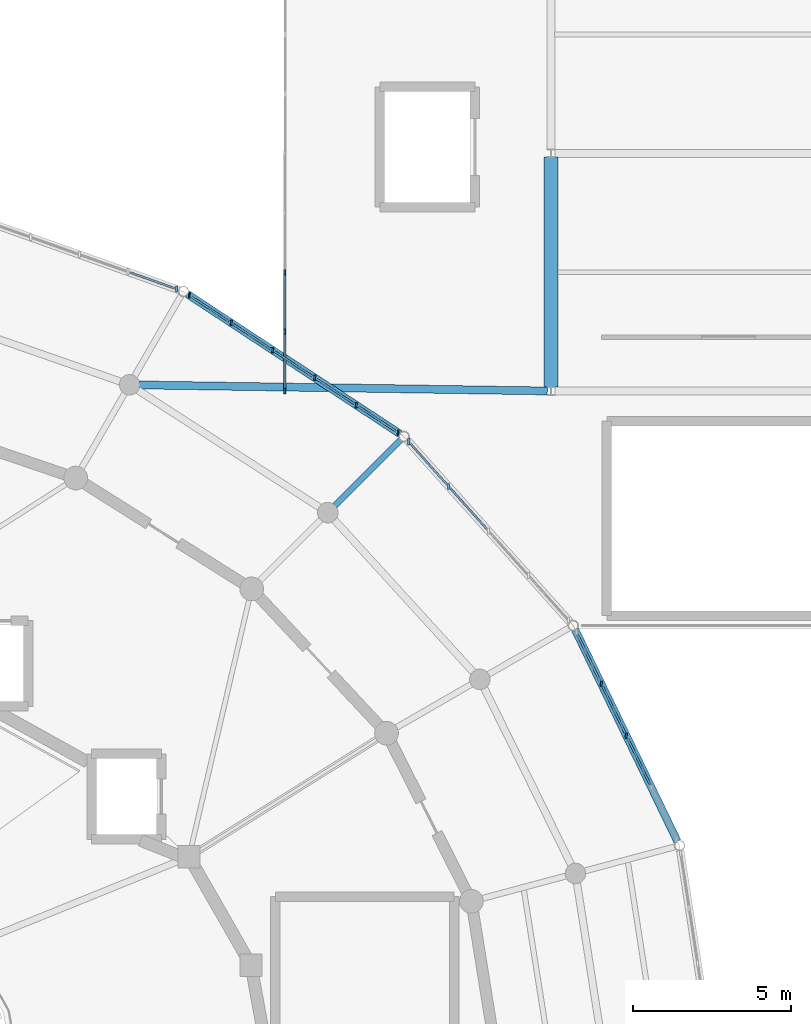
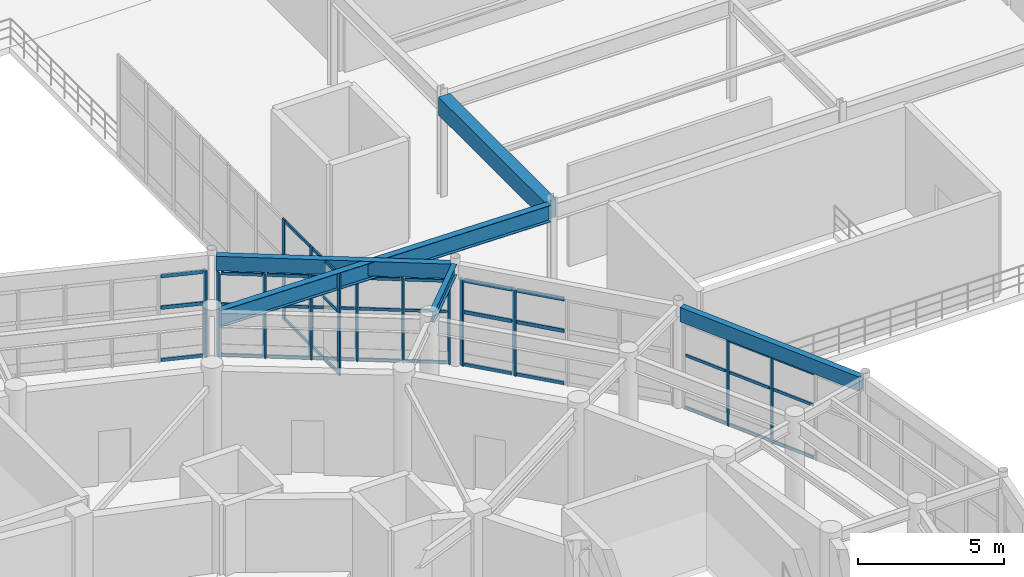
# One storey, part 62 of 112: 52 members, 5 beams, 5 elements without a shape of their own.
"""IFC4 building model written with IfcOpenShell, lengths in metres."""

from ifc_helpers import new_model, si_unit, direction, frame, origin, origin_2d, place, context, subcontext, project, spatial, rectangle, i_section, extrude, material, material_profile, profile_set, type_object, element, aggregate, save


model = new_model("IFC4")

# Units and contexts
model_context = context("Model", 3, precision=1e-05, world=origin(), true_north=direction((0.0, 1.0)))
body_context = subcontext(model_context, "Body", "Model", "MODEL_VIEW")
ifc_project = project(units=[si_unit("LENGTHUNIT", "METRE"), si_unit("AREAUNIT", "SQUARE_METRE"), si_unit("VOLUMEUNIT", "CUBIC_METRE"), si_unit("PLANEANGLEUNIT", "RADIAN"), si_unit("MASSUNIT", "GRAM", prefix="KILO")], contexts=[model_context])

# Site, building, storey
site_placement = place(None, origin())
site = spatial("IfcSite", under=ifc_project, at=site_placement, CompositionType="ELEMENT")
building_placement = place(site_placement, origin())
building = spatial("IfcBuilding", under=site, at=building_placement, Name="Cinderbank Siding Concert Hall", CompositionType="ELEMENT")
storey_placement = place(building_placement, frame((0.0, 0.0, 10.199951171875)))
storey = spatial("IfcBuildingStorey", under=building, at=storey_placement, Name="L03", CompositionType="ELEMENT", Elevation=10.199951171875)

# Beams
ifc_material_1 = material(Name="Reinforced concrete AS 3600 N50 (50 MPa)", Category="concrete")
ifc_material_profile_1 = material_profile(ifc_material_1, rectangle(XDim=0.449951171875, YDim=0.75, at=origin_2d()), Name="RC-BM-450x750", Category="LoadBearing")
ifc_profile_set_1 = profile_set([ifc_material_profile_1], Name="Reinforced concrete AS 3600 N50 (50 MPa)")
beam_type_1 = type_object("IfcBeamType", Name="BM-RC750 RC-BM-450x750", PredefinedType="BEAM", material=ifc_profile_set_1)
beam_1_placement = place(storey_placement, frame((150.39990234375, 65.9189453125, 3.85693359375), z_axis=(0.0, 1.0, 0.0), x_axis=(-1.0, 0.0, 0.0)))
element("IfcBeam", 1, at=beam_1_placement, inside=storey, type_object=beam_type_1, Name="L03 Beam BM-RC750 #1787", PredefinedType="BEAM", context=body_context, shape_type="SweptSolid", body=[
    extrude(rectangle(XDim=0.449951171875, YDim=0.75, at=origin_2d()), origin(), (0.0, 0.0, 1.0), 7.261962890625),
])
ifc_material_2 = material(Name="Structural steel AS/NZS 3679.1 Grade 350 (340 MPa)", Category="steel")
ifc_material_profile_2 = material_profile(ifc_material_2, i_section(OverallWidth=0.19091796875, OverallDepth=0.46044921875, WebThickness=0.010009765625, FlangeThickness=0.01611328125, at=origin_2d()), Name="460UB82.1", Category="LoadBearing")
ifc_profile_set_2 = profile_set([ifc_material_profile_2], Name="Structural steel AS/NZS 3679.1 Grade 350 (340 MPa)")
beam_type_2 = type_object("IfcBeamType", Name="BM-UB460H 460UB82.1", PredefinedType="BEAM", material=ifc_profile_set_2)
beam_2_placement = place(storey_placement, frame((143.578857421875, 62.184814453125, 4.0517578125), z_axis=(0.707106781187, 0.707106781187, 0.0), x_axis=(-0.707106781187, 0.707106781187, 0.0)))
element("IfcBeam", 2, at=beam_2_placement, inside=storey, type_object=beam_type_2, Name="L03 Beam BM-UB460H #631", PredefinedType="BEAM", context=body_context, shape_type="SweptSolid", body=[
    extrude(i_section(OverallWidth=0.19091796875, OverallDepth=0.46044921875, WebThickness=0.010009765625, FlangeThickness=0.01611328125, at=origin_2d()), origin(), (0.0, 0.0, 1.0), 2.928955078125),
])
ifc_material_3 = material(Name="Structural steel welded plate section AS/NZS 3679.2 / AS/NZS 3678 Grade 350 (340 MPa)", Category="steel")
ifc_material_profile_3 = material_profile(ifc_material_3, i_section(OverallWidth=0.25, OverallDepth=0.699951171875, WebThickness=0.010009765625, FlangeThickness=0.01611328125, at=origin_2d()), Name="700WB130", Category="LoadBearing")
ifc_profile_set_3 = profile_set([ifc_material_profile_3], Name="Structural steel welded plate section AS/NZS 3679.2 / AS/NZS 3678 Grade 350 (340 MPa)")
beam_type_3 = type_object("IfcBeamType", Name="BM-WB700 700WB130", PredefinedType="BEAM", material=ifc_profile_set_3)
beam_3_placement = place(storey_placement, frame((137.4169921875, 65.9921875, 3.882080078125), z_axis=(0.99989044935, -0.014801665379, 0.0), x_axis=(0.014801665379, 0.99989044935, 0.0)))
element("IfcBeam", 3, at=beam_3_placement, inside=storey, type_object=beam_type_3, Name="L03 Beam BM-WB700 #1701", PredefinedType="BEAM", context=body_context, shape_type="SweptSolid", body=[
    extrude(i_section(OverallWidth=0.25, OverallDepth=0.699951171875, WebThickness=0.010009765625, FlangeThickness=0.01611328125, at=origin_2d()), origin(), (0.0, 0.0, 1.0), 12.865478515625),
])

# Curtain wall, members
ifc_material_4 = material(Name="Anodised aluminium alloy 6063-T6", Category="aluminium")
curtain_wall_type_1 = type_object("IfcCurtainWallType", Name="CW-02 Unitised Acoustic Curtain Wall 7800x4400", PredefinedType="NOTDEFINED", material=ifc_material_4)
curtain_wall_1_placement = place(storey_placement, origin())
curtain_wall_1 = element("IfcCurtainWall", 4, at=curtain_wall_1_placement, inside=storey, type_object=curtain_wall_type_1, Name="L03 Curtain Wall CW-02 #26", PredefinedType="NOTDEFINED")
ifc_material_profile_4 = material_profile(ifc_material_4, rectangle(XDim=0.06005859375, YDim=0.159912109375, at=origin_2d()), Name="ALU-MULL-60x160", Category="LoadBearing")
ifc_profile_set_4 = profile_set([ifc_material_profile_4], Name="Anodised aluminium alloy 6063-T6")
member_type_1 = type_object("IfcMemberType", Name="CW-ML1 Mullion 60x160", PredefinedType="MULLION", material=ifc_profile_set_4)
member_1_placement = place(storey_placement, frame((152.77685546875, 54.927001953125, 0.0), z_axis=(0.0, 0.0, 1.0), x_axis=(1.0, 0.0, 0.0)))
member_1 = element("IfcMember", 5, at=member_1_placement, type_object=member_type_1, Name="CW-L03-026 Mullion 2", PredefinedType="MULLION", context=body_context, shape_type="SweptSolid", body=[
    extrude(rectangle(XDim=0.06005859375, YDim=0.159912109375, at=origin_2d()), origin(), (0.0, 0.0, 1.0), 3.616943359375),
])
member_2_placement = place(storey_placement, frame((151.987060546875, 56.561279296875, 0.0), z_axis=(0.0, 0.0, 1.0), x_axis=(1.0, 0.0, 0.0)))
member_2 = element("IfcMember", 6, at=member_2_placement, type_object=member_type_1, Name="CW-L03-026 Mullion 3", PredefinedType="MULLION", context=body_context, shape_type="SweptSolid", body=[
    extrude(rectangle(XDim=0.06005859375, YDim=0.159912109375, at=origin_2d()), origin(), (0.0, 0.0, 1.0), 3.616943359375),
])

curtain_wall_type_2 = type_object("IfcCurtainWallType", Name="CW-04 Unitised Acoustic Curtain Wall 7000x4400", PredefinedType="NOTDEFINED", material=ifc_material_4)
curtain_wall_2_placement = place(storey_placement, origin())
curtain_wall_2 = element("IfcCurtainWall", 7, at=curtain_wall_2_placement, inside=storey, type_object=curtain_wall_type_2, Name="L03 Curtain Wall CW-04 #28", PredefinedType="NOTDEFINED")
member_3_placement = place(storey_placement, frame((145.569091796875, 64.489501953125, 0.0), z_axis=(0.0, 0.0, 1.0), x_axis=(1.0, 0.0, 0.0)))
member_3 = element("IfcMember", 8, at=member_3_placement, type_object=member_type_1, Name="CW-L03-028 Mullion 0", PredefinedType="MULLION", context=body_context, shape_type="SweptSolid", body=[
    extrude(rectangle(XDim=0.06005859375, YDim=0.159912109375, at=origin_2d()), origin(), (0.0, 0.0, 1.0), 3.51708984375),
])
member_4_placement = place(storey_placement, frame((144.25341796875, 65.35498046875, 0.0), z_axis=(0.0, 0.0, 1.0), x_axis=(1.0, 0.0, 0.0)))
member_4 = element("IfcMember", 9, at=member_4_placement, type_object=member_type_1, Name="CW-L03-028 Mullion 1", PredefinedType="MULLION", context=body_context, shape_type="SweptSolid", body=[
    extrude(rectangle(XDim=0.06005859375, YDim=0.159912109375, at=origin_2d()), origin(), (0.0, 0.0, 1.0), 3.51708984375),
])
member_5_placement = place(storey_placement, frame((142.9375, 66.220458984375, 0.0), z_axis=(0.0, 0.0, 1.0), x_axis=(1.0, 0.0, 0.0)))
member_5 = element("IfcMember", 10, at=member_5_placement, type_object=member_type_1, Name="CW-L03-028 Mullion 2", PredefinedType="MULLION", context=body_context, shape_type="SweptSolid", body=[
    extrude(rectangle(XDim=0.06005859375, YDim=0.159912109375, at=origin_2d()), origin(), (0.0, 0.0, 1.0), 3.51708984375),
])
member_6_placement = place(storey_placement, frame((141.621337890625, 67.085693359375, 0.0), z_axis=(0.0, 0.0, 1.0), x_axis=(1.0, 0.0, 0.0)))
member_6 = element("IfcMember", 11, at=member_6_placement, type_object=member_type_1, Name="CW-L03-028 Mullion 3", PredefinedType="MULLION", context=body_context, shape_type="SweptSolid", body=[
    extrude(rectangle(XDim=0.06005859375, YDim=0.159912109375, at=origin_2d()), origin(), (0.0, 0.0, 1.0), 3.51708984375),
])
member_7_placement = place(storey_placement, frame((140.305419921875, 67.951416015625, 0.0), z_axis=(0.0, 0.0, 1.0), x_axis=(1.0, 0.0, 0.0)))
member_7 = element("IfcMember", 12, at=member_7_placement, type_object=member_type_1, Name="CW-L03-028 Mullion 4", PredefinedType="MULLION", context=body_context, shape_type="SweptSolid", body=[
    extrude(rectangle(XDim=0.06005859375, YDim=0.159912109375, at=origin_2d()), origin(), (0.0, 0.0, 1.0), 3.51708984375),
])
member_8_placement = place(storey_placement, frame((138.989501953125, 68.81689453125, 0.0), z_axis=(0.0, 0.0, 1.0), x_axis=(1.0, 0.0, 0.0)))
member_8 = element("IfcMember", 13, at=member_8_placement, type_object=member_type_1, Name="CW-L03-028 Mullion 5", PredefinedType="MULLION", context=body_context, shape_type="SweptSolid", body=[
    extrude(rectangle(XDim=0.06005859375, YDim=0.159912109375, at=origin_2d()), origin(), (0.0, 0.0, 1.0), 3.51708984375),
])

curtain_wall_type_3 = type_object("IfcCurtainWallType", Name="CW-16 Unitised Acoustic Curtain Wall 9200x3800", PredefinedType="NOTDEFINED", material=ifc_material_4)
curtain_wall_3_placement = place(storey_placement, origin())
curtain_wall_3 = element("IfcCurtainWall", 14, at=curtain_wall_3_placement, inside=storey, type_object=curtain_wall_type_3, Name="L03 Curtain Wall CW-16 #148", PredefinedType="NOTDEFINED")
member_9_placement = place(storey_placement, frame((142.0, 65.800048828125, 0.0), z_axis=(0.0, 0.0, 1.0), x_axis=(1.0, 0.0, 0.0)))
member_9 = element("IfcMember", 15, at=member_9_placement, type_object=member_type_1, Name="CW-L03-148 Mullion 0", PredefinedType="MULLION", context=body_context, shape_type="SweptSolid", body=[
    extrude(rectangle(XDim=0.06005859375, YDim=0.159912109375, at=origin_2d()), origin(), (0.0, 0.0, 1.0), 4.215087890625),
])
member_10_placement = place(storey_placement, frame((142.0, 67.675048828125, 0.0), z_axis=(0.0, 0.0, 1.0), x_axis=(1.0, 0.0, 0.0)))
member_10 = element("IfcMember", 16, at=member_10_placement, type_object=member_type_1, Name="CW-L03-148 Mullion 1", PredefinedType="MULLION", context=body_context, shape_type="SweptSolid", body=[
    extrude(rectangle(XDim=0.06005859375, YDim=0.159912109375, at=origin_2d()), origin(), (0.0, 0.0, 1.0), 4.215087890625),
])
member_11_placement = place(storey_placement, frame((142.0, 69.550048828125, 0.0), z_axis=(0.0, 0.0, 1.0), x_axis=(1.0, 0.0, 0.0)))
member_11 = element("IfcMember", 17, at=member_11_placement, type_object=member_type_1, Name="CW-L03-148 Mullion 2", PredefinedType="MULLION", context=body_context, shape_type="SweptSolid", body=[
    extrude(rectangle(XDim=0.06005859375, YDim=0.159912109375, at=origin_2d()), origin(), (0.0, 0.0, 1.0), 4.215087890625),
])

curtain_wall_type_4 = type_object("IfcCurtainWallType", Name="CW-03 Unitised Acoustic Curtain Wall 7400x4400", PredefinedType="NOTDEFINED", material=ifc_material_4)
curtain_wall_4_placement = place(storey_placement, origin())
curtain_wall_4 = element("IfcCurtainWall", 18, at=curtain_wall_4_placement, inside=storey, type_object=curtain_wall_type_4, Name="L03 Curtain Wall CW-03 #27", PredefinedType="NOTDEFINED")
ifc_material_profile_5 = material_profile(ifc_material_4, rectangle(XDim=0.06494140625, YDim=0.199951171875, at=origin_2d()), Name="ALU-MULL-65x200", Category="LoadBearing")
ifc_profile_set_5 = profile_set([ifc_material_profile_5], Name="Anodised aluminium alloy 6063-T6")
member_type_2 = type_object("IfcMemberType", Name="CW-ML2 Mullion 65x200", PredefinedType="MULLION", material=ifc_profile_set_5)
member_12_placement = place(storey_placement, frame((147.16943359375, 62.7890625, 0.0), z_axis=(0.0, 0.0, 1.0), x_axis=(1.0, 0.0, 0.0)))
member_12 = element("IfcMember", 19, at=member_12_placement, type_object=member_type_2, Name="CW-L03-027 Mullion 3", PredefinedType="MULLION", context=body_context, shape_type="SweptSolid", body=[
    extrude(rectangle(XDim=0.06494140625, YDim=0.199951171875, at=origin_2d()), origin(), (0.0, 0.0, 1.0), 3.616943359375),
])
member_13_placement = place(storey_placement, frame((145.91015625, 64.195556640625, 0.0), z_axis=(0.0, 0.0, 1.0), x_axis=(1.0, 0.0, 0.0)))
member_13 = element("IfcMember", 20, at=member_13_placement, type_object=member_type_2, Name="CW-L03-027 Mullion 4", PredefinedType="MULLION", context=body_context, shape_type="SweptSolid", body=[
    extrude(rectangle(XDim=0.06494140625, YDim=0.199951171875, at=origin_2d()), origin(), (0.0, 0.0, 1.0), 3.616943359375),
])

# Curtain wall, member
curtain_wall_type_5 = type_object("IfcCurtainWallType", Name="CW-05 Unitised Acoustic Curtain Wall 8200x3800", PredefinedType="NOTDEFINED", material=ifc_material_4)
curtain_wall_5_placement = place(storey_placement, origin())
curtain_wall_5 = element("IfcCurtainWall", 21, at=curtain_wall_5_placement, inside=storey, type_object=curtain_wall_type_5, Name="L03 Curtain Wall CW-05 #29", PredefinedType="NOTDEFINED")
member_14_placement = place(storey_placement, frame((138.586181640625, 69.017333984375, 0.0), z_axis=(0.0, 0.0, 1.0), x_axis=(1.0, 0.0, 0.0)))
member_14 = element("IfcMember", 22, at=member_14_placement, type_object=member_type_2, Name="CW-L03-029 Mullion 0", PredefinedType="MULLION", context=body_context, shape_type="SweptSolid", body=[
    extrude(rectangle(XDim=0.06494140625, YDim=0.199951171875, at=origin_2d()), origin(), (0.0, 0.0, 1.0), 3.616943359375),
])

# Member
ifc_material_profile_6 = material_profile(ifc_material_4, rectangle(XDim=0.06005859375, YDim=0.1201171875, at=origin_2d()), Name="ALU-TRAN-60x120", Category="LoadBearing")
ifc_profile_set_6 = profile_set([ifc_material_profile_6], Name="Anodised aluminium alloy 6063-T6")
member_type_3 = type_object("IfcMemberType", Name="CW-TR1 Transom 60x120", PredefinedType="USERDEFINED", material=ifc_profile_set_6)
member_15_placement = place(storey_placement, frame((153.527099609375, 53.37451171875, 0.06005859375), z_axis=(-0.435095962233, 0.900384086737, 0.0), x_axis=(-0.900384086737, -0.435095962233, 0.0)))
member_15 = element("IfcMember", 23, at=member_15_placement, type_object=member_type_3, Name="CW-L03-026 Transom 1-0", ObjectType="TRANSOM", PredefinedType="USERDEFINED", context=body_context, shape_type="SweptSolid", body=[
    extrude(rectangle(XDim=0.06005859375, YDim=0.1201171875, at=origin_2d()), origin(), (0.0, 0.0, 1.0), 1.63330078125),
])

member_16_placement = place(storey_placement, frame((153.527099609375, 53.37451171875, 2.242431640625), z_axis=(-0.435095962233, 0.900384086737, 0.0), x_axis=(-0.900384086737, -0.435095962233, 0.0)))
member_16 = element("IfcMember", 24, at=member_16_placement, type_object=member_type_3, Name="CW-L03-026 Transom 1-1", ObjectType="TRANSOM", PredefinedType="USERDEFINED", context=body_context, shape_type="SweptSolid", body=[
    extrude(rectangle(XDim=0.06005859375, YDim=0.1201171875, at=origin_2d()), origin(), (0.0, 0.0, 1.0), 1.63330078125),
])

member_17_placement = place(storey_placement, frame((153.527099609375, 53.37451171875, 3.55712890625), z_axis=(-0.435095962233, 0.900384086737, 0.0), x_axis=(-0.900384086737, -0.435095962233, 0.0)))
member_17 = element("IfcMember", 25, at=member_17_placement, type_object=member_type_3, Name="CW-L03-026 Transom 1-2", ObjectType="TRANSOM", PredefinedType="USERDEFINED", context=body_context, shape_type="SweptSolid", body=[
    extrude(rectangle(XDim=0.06005859375, YDim=0.1201171875, at=origin_2d()), origin(), (0.0, 0.0, 1.0), 1.63330078125),
])

member_18_placement = place(storey_placement, frame((152.7373046875, 55.0087890625, 0.06005859375), z_axis=(-0.435095962233, 0.900384086737, 0.0), x_axis=(-0.900384086737, -0.435095962233, 0.0)))
member_18 = element("IfcMember", 26, at=member_18_placement, type_object=member_type_3, Name="CW-L03-026 Transom 2-0", ObjectType="TRANSOM", PredefinedType="USERDEFINED", context=body_context, shape_type="SweptSolid", body=[
    extrude(rectangle(XDim=0.06005859375, YDim=0.1201171875, at=origin_2d()), origin(), (0.0, 0.0, 1.0), 1.63330078125),
])

member_19_placement = place(storey_placement, frame((152.7373046875, 55.0087890625, 2.242431640625), z_axis=(-0.435095962233, 0.900384086737, 0.0), x_axis=(-0.900384086737, -0.435095962233, 0.0)))
member_19 = element("IfcMember", 27, at=member_19_placement, type_object=member_type_3, Name="CW-L03-026 Transom 2-1", ObjectType="TRANSOM", PredefinedType="USERDEFINED", context=body_context, shape_type="SweptSolid", body=[
    extrude(rectangle(XDim=0.06005859375, YDim=0.1201171875, at=origin_2d()), origin(), (0.0, 0.0, 1.0), 1.63330078125),
])

member_20_placement = place(storey_placement, frame((152.7373046875, 55.0087890625, 3.55712890625), z_axis=(-0.435095962233, 0.900384086737, 0.0), x_axis=(-0.900384086737, -0.435095962233, 0.0)))
member_20 = element("IfcMember", 28, at=member_20_placement, type_object=member_type_3, Name="CW-L03-026 Transom 2-2", ObjectType="TRANSOM", PredefinedType="USERDEFINED", context=body_context, shape_type="SweptSolid", body=[
    extrude(rectangle(XDim=0.06005859375, YDim=0.1201171875, at=origin_2d()), origin(), (0.0, 0.0, 1.0), 1.63330078125),
])

member_21_placement = place(storey_placement, frame((151.947509765625, 56.64306640625, 0.06005859375), z_axis=(-0.435037415308, 0.900412376238, 0.0), x_axis=(-0.900412376238, -0.435037415308, 0.0)))
member_21 = element("IfcMember", 29, at=member_21_placement, type_object=member_type_3, Name="CW-L03-026 Transom 3-0", ObjectType="TRANSOM", PredefinedType="USERDEFINED", context=body_context, shape_type="SweptSolid", body=[
    extrude(rectangle(XDim=0.06005859375, YDim=0.1201171875, at=origin_2d()), origin(), (0.0, 0.0, 1.0), 1.633544921875),
])

member_22_placement = place(storey_placement, frame((151.947509765625, 56.64306640625, 2.242431640625), z_axis=(-0.435037415308, 0.900412376238, 0.0), x_axis=(-0.900412376238, -0.435037415308, 0.0)))
member_22 = element("IfcMember", 30, at=member_22_placement, type_object=member_type_3, Name="CW-L03-026 Transom 3-1", ObjectType="TRANSOM", PredefinedType="USERDEFINED", context=body_context, shape_type="SweptSolid", body=[
    extrude(rectangle(XDim=0.06005859375, YDim=0.1201171875, at=origin_2d()), origin(), (0.0, 0.0, 1.0), 1.633544921875),
])

aggregate(curtain_wall_1, [member_1, member_2, member_15, member_16, member_17, member_18, member_19, member_20, member_21, member_22])

member_23_placement = place(storey_placement, frame((145.50341796875, 64.53271484375, 0.06005859375), z_axis=(-0.835531529407, 0.549442502331, 0.0), x_axis=(-0.549442502331, -0.835531529407, 0.0)))
member_23 = element("IfcMember", 31, at=member_23_placement, type_object=member_type_3, Name="CW-L03-028 Transom 0-0", ObjectType="TRANSOM", PredefinedType="USERDEFINED", context=body_context, shape_type="SweptSolid", body=[
    extrude(rectangle(XDim=0.06005859375, YDim=0.1201171875, at=origin_2d()), origin(), (0.0, 0.0, 1.0), 1.41748046875),
])

member_24_placement = place(storey_placement, frame((145.50341796875, 64.53271484375, 2.1806640625), z_axis=(-0.835531529407, 0.549442502331, 0.0), x_axis=(-0.549442502331, -0.835531529407, 0.0)))
member_24 = element("IfcMember", 32, at=member_24_placement, type_object=member_type_3, Name="CW-L03-028 Transom 0-1", ObjectType="TRANSOM", PredefinedType="USERDEFINED", context=body_context, shape_type="SweptSolid", body=[
    extrude(rectangle(XDim=0.06005859375, YDim=0.1201171875, at=origin_2d()), origin(), (0.0, 0.0, 1.0), 1.41748046875),
])

member_25_placement = place(storey_placement, frame((145.50341796875, 64.53271484375, 3.45703125), z_axis=(-0.835531529407, 0.549442502331, 0.0), x_axis=(-0.549442502331, -0.835531529407, 0.0)))
member_25 = element("IfcMember", 33, at=member_25_placement, type_object=member_type_3, Name="CW-L03-028 Transom 0-2", ObjectType="TRANSOM", PredefinedType="USERDEFINED", context=body_context, shape_type="SweptSolid", body=[
    extrude(rectangle(XDim=0.06005859375, YDim=0.1201171875, at=origin_2d()), origin(), (0.0, 0.0, 1.0), 1.41748046875),
])

member_26_placement = place(storey_placement, frame((144.1875, 65.398193359375, 0.06005859375), z_axis=(-0.835531529407, 0.549442502331, 0.0), x_axis=(-0.549442502331, -0.835531529407, 0.0)))
member_26 = element("IfcMember", 34, at=member_26_placement, type_object=member_type_3, Name="CW-L03-028 Transom 1-0", ObjectType="TRANSOM", PredefinedType="USERDEFINED", context=body_context, shape_type="SweptSolid", body=[
    extrude(rectangle(XDim=0.06005859375, YDim=0.1201171875, at=origin_2d()), origin(), (0.0, 0.0, 1.0), 1.41748046875),
])

member_27_placement = place(storey_placement, frame((144.1875, 65.398193359375, 2.1806640625), z_axis=(-0.835531529407, 0.549442502331, 0.0), x_axis=(-0.549442502331, -0.835531529407, 0.0)))
member_27 = element("IfcMember", 35, at=member_27_placement, type_object=member_type_3, Name="CW-L03-028 Transom 1-1", ObjectType="TRANSOM", PredefinedType="USERDEFINED", context=body_context, shape_type="SweptSolid", body=[
    extrude(rectangle(XDim=0.06005859375, YDim=0.1201171875, at=origin_2d()), origin(), (0.0, 0.0, 1.0), 1.41748046875),
])

member_28_placement = place(storey_placement, frame((144.1875, 65.398193359375, 3.45703125), z_axis=(-0.835531529407, 0.549442502331, 0.0), x_axis=(-0.549442502331, -0.835531529407, 0.0)))
member_28 = element("IfcMember", 36, at=member_28_placement, type_object=member_type_3, Name="CW-L03-028 Transom 1-2", ObjectType="TRANSOM", PredefinedType="USERDEFINED", context=body_context, shape_type="SweptSolid", body=[
    extrude(rectangle(XDim=0.06005859375, YDim=0.1201171875, at=origin_2d()), origin(), (0.0, 0.0, 1.0), 1.41748046875),
])

member_29_placement = place(storey_placement, frame((142.87158203125, 66.263671875, 0.06005859375), z_axis=(-0.835531529407, 0.549442502331, 0.0), x_axis=(-0.549442502331, -0.835531529407, 0.0)))
member_29 = element("IfcMember", 37, at=member_29_placement, type_object=member_type_3, Name="CW-L03-028 Transom 2-0", ObjectType="TRANSOM", PredefinedType="USERDEFINED", context=body_context, shape_type="SweptSolid", body=[
    extrude(rectangle(XDim=0.06005859375, YDim=0.1201171875, at=origin_2d()), origin(), (0.0, 0.0, 1.0), 1.41748046875),
])

member_30_placement = place(storey_placement, frame((142.87158203125, 66.263671875, 2.1806640625), z_axis=(-0.835531529407, 0.549442502331, 0.0), x_axis=(-0.549442502331, -0.835531529407, 0.0)))
member_30 = element("IfcMember", 38, at=member_30_placement, type_object=member_type_3, Name="CW-L03-028 Transom 2-1", ObjectType="TRANSOM", PredefinedType="USERDEFINED", context=body_context, shape_type="SweptSolid", body=[
    extrude(rectangle(XDim=0.06005859375, YDim=0.1201171875, at=origin_2d()), origin(), (0.0, 0.0, 1.0), 1.41748046875),
])

member_31_placement = place(storey_placement, frame((142.87158203125, 66.263671875, 3.45703125), z_axis=(-0.835531529407, 0.549442502331, 0.0), x_axis=(-0.549442502331, -0.835531529407, 0.0)))
member_31 = element("IfcMember", 39, at=member_31_placement, type_object=member_type_3, Name="CW-L03-028 Transom 2-2", ObjectType="TRANSOM", PredefinedType="USERDEFINED", context=body_context, shape_type="SweptSolid", body=[
    extrude(rectangle(XDim=0.06005859375, YDim=0.1201171875, at=origin_2d()), origin(), (0.0, 0.0, 1.0), 1.41748046875),
])

member_32_placement = place(storey_placement, frame((141.5556640625, 67.129150390625, 0.06005859375), z_axis=(-0.835531529407, 0.549442502331, 0.0), x_axis=(-0.549442502331, -0.835531529407, 0.0)))
member_32 = element("IfcMember", 40, at=member_32_placement, type_object=member_type_3, Name="CW-L03-028 Transom 3-0", ObjectType="TRANSOM", PredefinedType="USERDEFINED", context=body_context, shape_type="SweptSolid", body=[
    extrude(rectangle(XDim=0.06005859375, YDim=0.1201171875, at=origin_2d()), origin(), (0.0, 0.0, 1.0), 1.41748046875),
])

member_33_placement = place(storey_placement, frame((141.5556640625, 67.129150390625, 2.1806640625), z_axis=(-0.835531529407, 0.549442502331, 0.0), x_axis=(-0.549442502331, -0.835531529407, 0.0)))
member_33 = element("IfcMember", 41, at=member_33_placement, type_object=member_type_3, Name="CW-L03-028 Transom 3-1", ObjectType="TRANSOM", PredefinedType="USERDEFINED", context=body_context, shape_type="SweptSolid", body=[
    extrude(rectangle(XDim=0.06005859375, YDim=0.1201171875, at=origin_2d()), origin(), (0.0, 0.0, 1.0), 1.41748046875),
])

member_34_placement = place(storey_placement, frame((141.5556640625, 67.129150390625, 3.45703125), z_axis=(-0.835531529407, 0.549442502331, 0.0), x_axis=(-0.549442502331, -0.835531529407, 0.0)))
member_34 = element("IfcMember", 42, at=member_34_placement, type_object=member_type_3, Name="CW-L03-028 Transom 3-2", ObjectType="TRANSOM", PredefinedType="USERDEFINED", context=body_context, shape_type="SweptSolid", body=[
    extrude(rectangle(XDim=0.06005859375, YDim=0.1201171875, at=origin_2d()), origin(), (0.0, 0.0, 1.0), 1.41748046875),
])

member_35_placement = place(storey_placement, frame((140.23974609375, 67.99462890625, 0.06005859375), z_axis=(-0.835531529407, 0.549442502331, 0.0), x_axis=(-0.549442502331, -0.835531529407, 0.0)))
member_35 = element("IfcMember", 43, at=member_35_placement, type_object=member_type_3, Name="CW-L03-028 Transom 4-0", ObjectType="TRANSOM", PredefinedType="USERDEFINED", context=body_context, shape_type="SweptSolid", body=[
    extrude(rectangle(XDim=0.06005859375, YDim=0.1201171875, at=origin_2d()), origin(), (0.0, 0.0, 1.0), 1.41748046875),
])

member_36_placement = place(storey_placement, frame((140.23974609375, 67.99462890625, 2.1806640625), z_axis=(-0.835531529407, 0.549442502331, 0.0), x_axis=(-0.549442502331, -0.835531529407, 0.0)))
member_36 = element("IfcMember", 44, at=member_36_placement, type_object=member_type_3, Name="CW-L03-028 Transom 4-1", ObjectType="TRANSOM", PredefinedType="USERDEFINED", context=body_context, shape_type="SweptSolid", body=[
    extrude(rectangle(XDim=0.06005859375, YDim=0.1201171875, at=origin_2d()), origin(), (0.0, 0.0, 1.0), 1.41748046875),
])

member_37_placement = place(storey_placement, frame((140.23974609375, 67.99462890625, 3.45703125), z_axis=(-0.835531529407, 0.549442502331, 0.0), x_axis=(-0.549442502331, -0.835531529407, 0.0)))
member_37 = element("IfcMember", 45, at=member_37_placement, type_object=member_type_3, Name="CW-L03-028 Transom 4-2", ObjectType="TRANSOM", PredefinedType="USERDEFINED", context=body_context, shape_type="SweptSolid", body=[
    extrude(rectangle(XDim=0.06005859375, YDim=0.1201171875, at=origin_2d()), origin(), (0.0, 0.0, 1.0), 1.41748046875),
])

aggregate(curtain_wall_2, [member_3, member_4, member_5, member_6, member_7, member_8, member_23, member_24, member_25, member_26, member_27, member_28, member_29, member_30, member_31, member_32, member_33, member_34, member_35, member_36, member_37])

member_38_placement = place(storey_placement, frame((142.0, 65.893798828125, 0.06005859375), z_axis=(0.0, 1.0, 0.0), x_axis=(-1.0, 0.0, 0.0)))
member_38 = element("IfcMember", 46, at=member_38_placement, type_object=member_type_3, Name="CW-L03-148 Transom 0-0", ObjectType="TRANSOM", PredefinedType="USERDEFINED", context=body_context, shape_type="SweptSolid", body=[
    extrude(rectangle(XDim=0.06005859375, YDim=0.1201171875, at=origin_2d()), origin(), (0.0, 0.0, 1.0), 1.6875),
])

member_39_placement = place(storey_placement, frame((142.0, 65.893798828125, 2.61328125), z_axis=(0.0, 1.0, 0.0), x_axis=(-1.0, 0.0, 0.0)))
member_39 = element("IfcMember", 47, at=member_39_placement, type_object=member_type_3, Name="CW-L03-148 Transom 0-1", ObjectType="TRANSOM", PredefinedType="USERDEFINED", context=body_context, shape_type="SweptSolid", body=[
    extrude(rectangle(XDim=0.06005859375, YDim=0.1201171875, at=origin_2d()), origin(), (0.0, 0.0, 1.0), 1.6875),
])

member_40_placement = place(storey_placement, frame((142.0, 65.893798828125, 4.155029296875), z_axis=(0.0, 1.0, 0.0), x_axis=(-1.0, 0.0, 0.0)))
member_40 = element("IfcMember", 48, at=member_40_placement, type_object=member_type_3, Name="CW-L03-148 Transom 0-2", ObjectType="TRANSOM", PredefinedType="USERDEFINED", context=body_context, shape_type="SweptSolid", body=[
    extrude(rectangle(XDim=0.06005859375, YDim=0.1201171875, at=origin_2d()), origin(), (0.0, 0.0, 1.0), 1.6875),
])

member_41_placement = place(storey_placement, frame((142.0, 67.768798828125, 0.06005859375), z_axis=(0.0, 1.0, 0.0), x_axis=(-1.0, 0.0, 0.0)))
member_41 = element("IfcMember", 49, at=member_41_placement, type_object=member_type_3, Name="CW-L03-148 Transom 1-0", ObjectType="TRANSOM", PredefinedType="USERDEFINED", context=body_context, shape_type="SweptSolid", body=[
    extrude(rectangle(XDim=0.06005859375, YDim=0.1201171875, at=origin_2d()), origin(), (0.0, 0.0, 1.0), 1.6875),
])

member_42_placement = place(storey_placement, frame((142.0, 67.768798828125, 2.61328125), z_axis=(0.0, 1.0, 0.0), x_axis=(-1.0, 0.0, 0.0)))
member_42 = element("IfcMember", 50, at=member_42_placement, type_object=member_type_3, Name="CW-L03-148 Transom 1-1", ObjectType="TRANSOM", PredefinedType="USERDEFINED", context=body_context, shape_type="SweptSolid", body=[
    extrude(rectangle(XDim=0.06005859375, YDim=0.1201171875, at=origin_2d()), origin(), (0.0, 0.0, 1.0), 1.6875),
])

member_43_placement = place(storey_placement, frame((142.0, 67.768798828125, 4.155029296875), z_axis=(0.0, 1.0, 0.0), x_axis=(-1.0, 0.0, 0.0)))
member_43 = element("IfcMember", 51, at=member_43_placement, type_object=member_type_3, Name="CW-L03-148 Transom 1-2", ObjectType="TRANSOM", PredefinedType="USERDEFINED", context=body_context, shape_type="SweptSolid", body=[
    extrude(rectangle(XDim=0.06005859375, YDim=0.1201171875, at=origin_2d()), origin(), (0.0, 0.0, 1.0), 1.6875),
])

aggregate(curtain_wall_3, [member_9, member_10, member_11, member_38, member_39, member_40, member_41, member_42, member_43])

ifc_material_profile_7 = material_profile(ifc_material_4, rectangle(XDim=0.06494140625, YDim=0.14990234375, at=origin_2d()), Name="ALU-TRAN-65x150", Category="LoadBearing")
ifc_profile_set_7 = profile_set([ifc_material_profile_7], Name="Anodised aluminium alloy 6063-T6")
member_type_4 = type_object("IfcMemberType", Name="CW-TR2 Transom 65x150", PredefinedType="USERDEFINED", material=ifc_profile_set_7)
member_44_placement = place(storey_placement, frame((148.36572265625, 61.45263671875, 0.06005859375), z_axis=(-0.667017441515, 0.745042101304, 0.0), x_axis=(-0.745042101304, -0.667017441515, 0.0)))
member_44 = element("IfcMember", 52, at=member_44_placement, type_object=member_type_4, Name="CW-L03-027 Transom 2-0", ObjectType="TRANSOM", PredefinedType="USERDEFINED", context=body_context, shape_type="SweptSolid", body=[
    extrude(rectangle(XDim=0.06494140625, YDim=0.14990234375, at=origin_2d()), origin(), (0.0, 0.0, 1.0), 1.698974609375),
])

member_45_placement = place(storey_placement, frame((148.36572265625, 61.45263671875, 2.242431640625), z_axis=(-0.667017441515, 0.745042101304, 0.0), x_axis=(-0.745042101304, -0.667017441515, 0.0)))
member_45 = element("IfcMember", 53, at=member_45_placement, type_object=member_type_4, Name="CW-L03-027 Transom 2-1", ObjectType="TRANSOM", PredefinedType="USERDEFINED", context=body_context, shape_type="SweptSolid", body=[
    extrude(rectangle(XDim=0.06494140625, YDim=0.14990234375, at=origin_2d()), origin(), (0.0, 0.0, 1.0), 1.698974609375),
])

member_46_placement = place(storey_placement, frame((148.36572265625, 61.45263671875, 3.55712890625), z_axis=(-0.667017441515, 0.745042101304, 0.0), x_axis=(-0.745042101304, -0.667017441515, 0.0)))
member_46 = element("IfcMember", 54, at=member_46_placement, type_object=member_type_4, Name="CW-L03-027 Transom 2-2", ObjectType="TRANSOM", PredefinedType="USERDEFINED", context=body_context, shape_type="SweptSolid", body=[
    extrude(rectangle(XDim=0.06494140625, YDim=0.14990234375, at=origin_2d()), origin(), (0.0, 0.0, 1.0), 1.698974609375),
])

member_47_placement = place(storey_placement, frame((147.1064453125, 62.859375, 0.06005859375), z_axis=(-0.667017441515, 0.745042101304, 0.0), x_axis=(-0.745042101304, -0.667017441515, 0.0)))
member_47 = element("IfcMember", 55, at=member_47_placement, type_object=member_type_4, Name="CW-L03-027 Transom 3-0", ObjectType="TRANSOM", PredefinedType="USERDEFINED", context=body_context, shape_type="SweptSolid", body=[
    extrude(rectangle(XDim=0.06494140625, YDim=0.14990234375, at=origin_2d()), origin(), (0.0, 0.0, 1.0), 1.698974609375),
])

member_48_placement = place(storey_placement, frame((147.1064453125, 62.859375, 2.242431640625), z_axis=(-0.667017441515, 0.745042101304, 0.0), x_axis=(-0.745042101304, -0.667017441515, 0.0)))
member_48 = element("IfcMember", 56, at=member_48_placement, type_object=member_type_4, Name="CW-L03-027 Transom 3-1", ObjectType="TRANSOM", PredefinedType="USERDEFINED", context=body_context, shape_type="SweptSolid", body=[
    extrude(rectangle(XDim=0.06494140625, YDim=0.14990234375, at=origin_2d()), origin(), (0.0, 0.0, 1.0), 1.698974609375),
])

member_49_placement = place(storey_placement, frame((147.1064453125, 62.859375, 3.55712890625), z_axis=(-0.667017441515, 0.745042101304, 0.0), x_axis=(-0.745042101304, -0.667017441515, 0.0)))
member_49 = element("IfcMember", 57, at=member_49_placement, type_object=member_type_4, Name="CW-L03-027 Transom 3-2", ObjectType="TRANSOM", PredefinedType="USERDEFINED", context=body_context, shape_type="SweptSolid", body=[
    extrude(rectangle(XDim=0.06494140625, YDim=0.14990234375, at=origin_2d()), origin(), (0.0, 0.0, 1.0), 1.698974609375),
])

aggregate(curtain_wall_4, [member_12, member_13, member_44, member_45, member_46, member_47, member_48, member_49])

member_50_placement = place(storey_placement, frame((138.509521484375, 69.044677734375, 0.06005859375), z_axis=(-0.942395579657, 0.334500480482, 0.0), x_axis=(-0.334500480482, -0.942395579657, 0.0)))
member_50 = element("IfcMember", 58, at=member_50_placement, type_object=member_type_4, Name="CW-L03-029 Transom 0-0", ObjectType="TRANSOM", PredefinedType="USERDEFINED", context=body_context, shape_type="SweptSolid", body=[
    extrude(rectangle(XDim=0.06494140625, YDim=0.14990234375, at=origin_2d()), origin(), (0.0, 0.0, 1.0), 1.46630859375),
])

member_51_placement = place(storey_placement, frame((138.509521484375, 69.044677734375, 2.242431640625), z_axis=(-0.942395579657, 0.334500480482, 0.0), x_axis=(-0.334500480482, -0.942395579657, 0.0)))
member_51 = element("IfcMember", 59, at=member_51_placement, type_object=member_type_4, Name="CW-L03-029 Transom 0-1", ObjectType="TRANSOM", PredefinedType="USERDEFINED", context=body_context, shape_type="SweptSolid", body=[
    extrude(rectangle(XDim=0.06494140625, YDim=0.14990234375, at=origin_2d()), origin(), (0.0, 0.0, 1.0), 1.46630859375),
])

member_52_placement = place(storey_placement, frame((138.509521484375, 69.044677734375, 3.55712890625), z_axis=(-0.942395579657, 0.334500480482, 0.0), x_axis=(-0.334500480482, -0.942395579657, 0.0)))
member_52 = element("IfcMember", 60, at=member_52_placement, type_object=member_type_4, Name="CW-L03-029 Transom 0-2", ObjectType="TRANSOM", PredefinedType="USERDEFINED", context=body_context, shape_type="SweptSolid", body=[
    extrude(rectangle(XDim=0.06494140625, YDim=0.14990234375, at=origin_2d()), origin(), (0.0, 0.0, 1.0), 1.46630859375),
])

aggregate(curtain_wall_5, [member_14, member_50, member_51, member_52])

# Beams
ifc_material_5 = material(Name="Spotted gum glulam timber GL18 (42 MPa)", Category="wood")
ifc_material_profile_8 = material_profile(ifc_material_5, rectangle(XDim=0.239990234375, YDim=0.60009765625, at=origin_2d()), Name="GL18-240x600", Category="LoadBearing")
ifc_profile_set_8 = profile_set([ifc_material_profile_8], Name="Spotted gum glulam timber GL18 (42 MPa)")
beam_type_4 = type_object("IfcBeamType", Name="SP-GL600 GL18-240x600", PredefinedType="SPANDREL", material=ifc_profile_set_8)
beam_4_placement = place(storey_placement, frame((154.38818359375, 51.592529296875, 3.93212890625), z_axis=(-0.435095625105, 0.900384249648, 0.0), x_axis=(-0.900384249648, -0.435095625105, 0.0)))
element("IfcBeam", 61, at=beam_4_placement, inside=storey, type_object=beam_type_4, Name="L03 Beam SP-GL600 #570", PredefinedType="SPANDREL", context=body_context, shape_type="SweptSolid", body=[
    extrude(rectangle(XDim=0.239990234375, YDim=0.60009765625, at=origin_2d()), origin(), (0.0, 0.0, 1.0), 7.40673828125),
])
beam_5_placement = place(storey_placement, frame((145.630126953125, 64.44921875, 3.93212890625), z_axis=(-0.835480702777, 0.549519786074, 0.0), x_axis=(-0.549519786074, -0.835480702777, 0.0)))
element("IfcBeam", 62, at=beam_5_placement, inside=storey, type_object=beam_type_4, Name="L03 Beam SP-GL600 #572", PredefinedType="SPANDREL", context=body_context, shape_type="SweptSolid", body=[
    extrude(rectangle(XDim=0.239990234375, YDim=0.60009765625, at=origin_2d()), origin(), (0.0, 0.0, 1.0), 8.02099609375),
])

save(model, "model.ifc")
